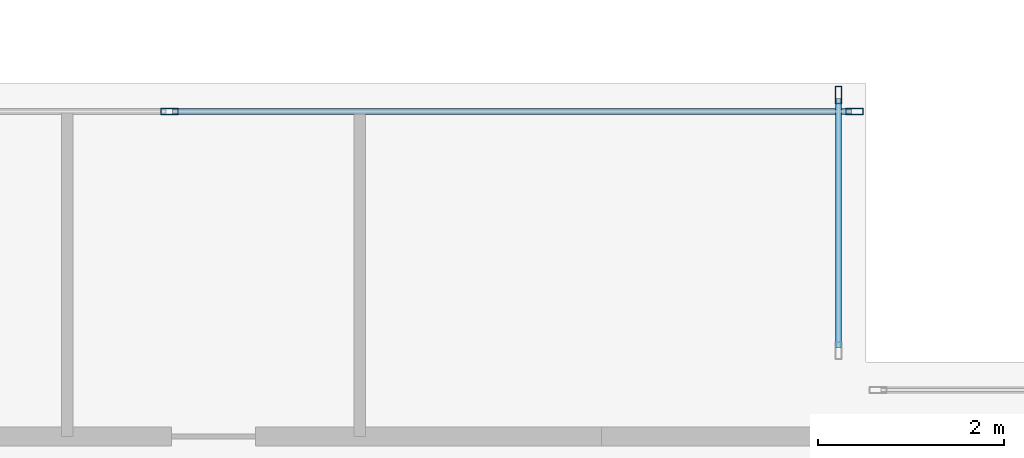
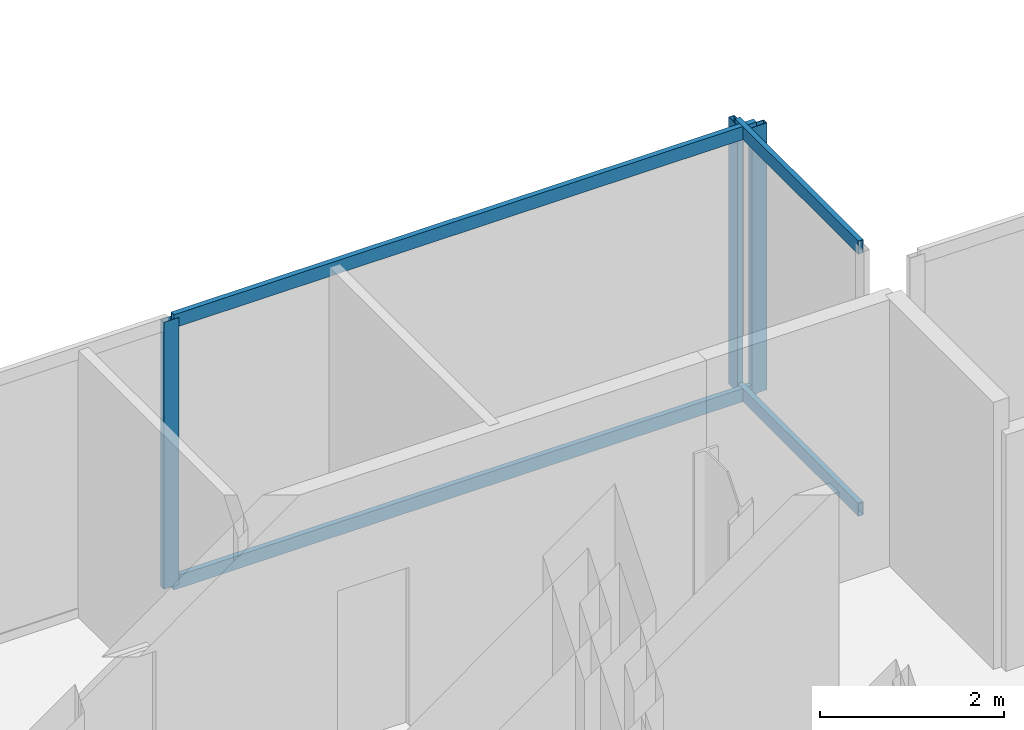
# One storey, part 12 of 21: 7 members, 2 elements without a shape of their own.
"""IFC4 building model written with IfcOpenShell, lengths in metres."""

from ifc_helpers import new_model, si_unit, direction, frame, origin, origin_2d, place, context, subcontext, project, spatial, hollow_rectangle, extrude, material, layer, layer_set, material_profile, profile_set, type_object, element, aggregate, save


model = new_model("IFC4")

# Units and contexts
model_context = context("Model", 3, precision=1e-05, world=origin(), true_north=direction((0.0, 1.0)))
body_context = subcontext(model_context, "Body", "Model", "MODEL_VIEW")
ifc_project = project(units=[si_unit("LENGTHUNIT", "METRE"), si_unit("AREAUNIT", "SQUARE_METRE"), si_unit("VOLUMEUNIT", "CUBIC_METRE"), si_unit("PLANEANGLEUNIT", "RADIAN"), si_unit("MASSUNIT", "GRAM", prefix="KILO"), si_unit("THERMODYNAMICTEMPERATUREUNIT", "KELVIN"), si_unit("POWERUNIT", "WATT")], contexts=[model_context])

# Site, building, storey
site_placement = place(None, origin())
site = spatial("IfcSite", under=ifc_project, at=site_placement, CompositionType="ELEMENT")
building_placement = place(site_placement, origin())
building = spatial("IfcBuilding", under=site, at=building_placement, Name="Svarakhadi Broadcast Tower", CompositionType="ELEMENT")
storey_placement = place(building_placement, frame((0.0, 0.0, 208.64990234375)))
storey = spatial("IfcBuildingStorey", under=building, at=storey_placement, Name="L51", CompositionType="ELEMENT", Elevation=208.64990234375)

# Curtain wall, members
ifc_material = material(Name="Anodised Bronze Aluminium AA 6063-T6", Category="aluminium")
ifc_layer = layer(ifc_material, 0.18994140625)
ifc_layer_set = layer_set([ifc_layer], Name="Anodised Bronze Aluminium AA 6063-T6")
curtain_wall_type = type_object("IfcCurtainWallType", Name="CW_Sys_04", PredefinedType="NOTDEFINED", material=ifc_layer_set)
curtain_wall_1_placement = place(storey_placement, origin())
curtain_wall_1 = element("IfcCurtainWall", 1, at=curtain_wall_1_placement, inside=storey, type_object=curtain_wall_type, Name="L51 Unitised Facade Curtain Wall 10", PredefinedType="NOTDEFINED")
ifc_material_profile_1 = material_profile(ifc_material, hollow_rectangle(XDim=0.070068359375, YDim=0.18994140625, WallThickness=0.005615234375, at=origin_2d()), Name="ALU MULLION 190x70x6")
ifc_profile_set_1 = profile_set([ifc_material_profile_1], Name="Anodised Bronze Aluminium AA 6063-T6")
member_type_1 = type_object("IfcMemberType", Name="CW_Sys_04_Mul", PredefinedType="MULLION", material=ifc_profile_set_1)
member_1_placement = place(storey_placement, frame((31.5, 23.699951171875, 0.0), z_axis=(0.0, 0.0, 1.0), x_axis=(0.0, 1.0, 0.0)))
member_1 = element("IfcMember", 2, at=member_1_placement, type_object=member_type_1, Name="CW-04 mullion 2", PredefinedType="MULLION", context=body_context, shape_type="SweptSolid", body=[
    extrude(hollow_rectangle(XDim=0.070068359375, YDim=0.18994140625, WallThickness=0.005615234375, at=origin_2d()), origin(), (0.0, 0.0, 1.0), 3.5400390625),
])
member_2_placement = place(storey_placement, frame((38.875, 23.699951171875, 0.0), z_axis=(0.0, 0.0, 1.0), x_axis=(0.0, 1.0, 0.0)))
member_2 = element("IfcMember", 3, at=member_2_placement, type_object=member_type_1, Name="CW-04 mullion 3", PredefinedType="MULLION", context=body_context, shape_type="SweptSolid", body=[
    extrude(hollow_rectangle(XDim=0.070068359375, YDim=0.18994140625, WallThickness=0.005615234375, at=origin_2d()), origin(), (0.0, 0.0, 1.0), 3.5400390625),
])

# Curtain wall, member
curtain_wall_2_placement = place(storey_placement, origin())
curtain_wall_2 = element("IfcCurtainWall", 4, at=curtain_wall_2_placement, inside=storey, type_object=curtain_wall_type, Name="L51 Unitised Facade Curtain Wall 11", PredefinedType="NOTDEFINED")
member_3_placement = place(storey_placement, frame((38.699951171875, 23.875, 0.0), z_axis=(0.0, 0.0, 1.0), x_axis=(1.0, 0.0, 0.0)))
member_3 = element("IfcMember", 5, at=member_3_placement, type_object=member_type_1, Name="CW-04 mullion 1", PredefinedType="MULLION", context=body_context, shape_type="SweptSolid", body=[
    extrude(hollow_rectangle(XDim=0.070068359375, YDim=0.18994140625, WallThickness=0.005615234375, at=origin_2d()), origin(), (0.0, 0.0, 1.0), 3.5400390625),
])

# Member
ifc_material_profile_2 = material_profile(ifc_material, hollow_rectangle(XDim=0.06494140625, YDim=0.175048828125, WallThickness=0.0048828125, at=origin_2d()), Name="ALU TRANSOM 175x65x5")
ifc_profile_set_2 = profile_set([ifc_material_profile_2], Name="Anodised Bronze Aluminium AA 6063-T6")
member_type_2 = type_object("IfcMemberType", Name="CW_Sys_04_Trn", PredefinedType="USERDEFINED", material=ifc_profile_set_2)
member_4_placement = place(storey_placement, frame((31.534912109375, 23.699951171875, 0.03271484375), z_axis=(1.0, 0.0, 0.0), x_axis=(0.0, 1.0, 0.0)))
member_4 = element("IfcMember", 6, at=member_4_placement, type_object=member_type_2, Name="CW-04 transom 2.1", ObjectType="TRANSOM", PredefinedType="USERDEFINED", context=body_context, shape_type="SweptSolid", body=[
    extrude(hollow_rectangle(XDim=0.06494140625, YDim=0.175048828125, WallThickness=0.0048828125, at=origin_2d()), origin(), (0.0, 0.0, 1.0), 7.30517578125),
])

member_5_placement = place(storey_placement, frame((31.534912109375, 23.699951171875, 3.507568359375), z_axis=(1.0, 0.0, 0.0), x_axis=(0.0, 1.0, 0.0)))
member_5 = element("IfcMember", 7, at=member_5_placement, type_object=member_type_2, Name="CW-04 transom 2.2", ObjectType="TRANSOM", PredefinedType="USERDEFINED", context=body_context, shape_type="SweptSolid", body=[
    extrude(hollow_rectangle(XDim=0.06494140625, YDim=0.175048828125, WallThickness=0.0048828125, at=origin_2d()), origin(), (0.0, 0.0, 1.0), 7.30517578125),
])

aggregate(curtain_wall_1, [member_1, member_2, member_4, member_5])

member_6_placement = place(storey_placement, frame((38.699951171875, 23.840087890625, 0.03271484375), z_axis=(0.0, -1.0, 0.0), x_axis=(1.0, 0.0, 0.0)))
member_6 = element("IfcMember", 8, at=member_6_placement, type_object=member_type_2, Name="CW-04 transom 1.1", ObjectType="TRANSOM", PredefinedType="USERDEFINED", context=body_context, shape_type="SweptSolid", body=[
    extrude(hollow_rectangle(XDim=0.06494140625, YDim=0.175048828125, WallThickness=0.0048828125, at=origin_2d()), origin(), (0.0, 0.0, 1.0), 2.68017578125),
])

member_7_placement = place(storey_placement, frame((38.699951171875, 23.840087890625, 3.507568359375), z_axis=(0.0, -1.0, 0.0), x_axis=(1.0, 0.0, 0.0)))
member_7 = element("IfcMember", 9, at=member_7_placement, type_object=member_type_2, Name="CW-04 transom 1.2", ObjectType="TRANSOM", PredefinedType="USERDEFINED", context=body_context, shape_type="SweptSolid", body=[
    extrude(hollow_rectangle(XDim=0.06494140625, YDim=0.175048828125, WallThickness=0.0048828125, at=origin_2d()), origin(), (0.0, 0.0, 1.0), 2.68017578125),
])

aggregate(curtain_wall_2, [member_3, member_6, member_7])

save(model, "model.ifc")
